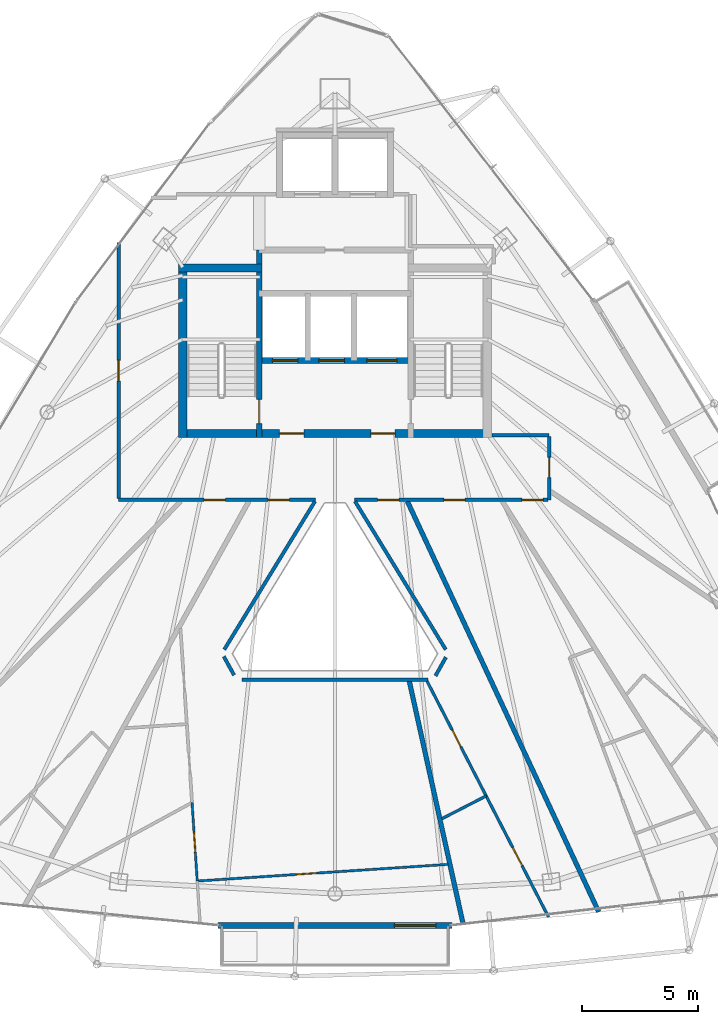
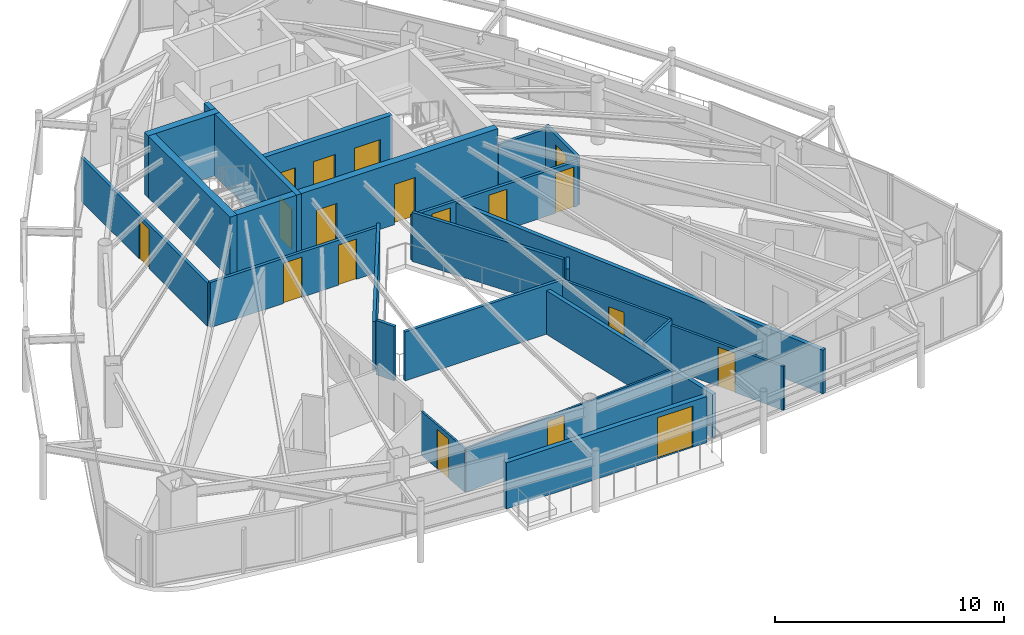
# One storey, part 25 of 29: 23 walls, 18 doors, 18 openings.
"""IFC4 building model written with IfcOpenShell, lengths in metres."""

from ifc_helpers import new_model, si_unit, direction, frame, frame_2d, origin, place, context, subcontext, project, spatial, rectangle, extrude, material, layer, layer_set, type_object, element, fill, save


model = new_model("IFC4")

# Units and contexts
model_context = context("Model", 3, precision=1e-05, world=origin(), true_north=direction((0.0, 1.0)))
body_context = subcontext(model_context, "Body", "Model", "MODEL_VIEW")
ifc_project = project(units=[si_unit("LENGTHUNIT", "METRE"), si_unit("AREAUNIT", "SQUARE_METRE"), si_unit("VOLUMEUNIT", "CUBIC_METRE"), si_unit("PLANEANGLEUNIT", "RADIAN"), si_unit("MASSUNIT", "GRAM", prefix="KILO")], contexts=[model_context])

# Site, building, storey
site_placement = place(None, origin())
site = spatial("IfcSite", under=ifc_project, at=site_placement, CompositionType="ELEMENT")
building_placement = place(site_placement, origin())
building = spatial("IfcBuilding", under=site, at=building_placement, Name="Orvanel Arch Residences", CompositionType="ELEMENT")
storey_placement = place(building_placement, frame((0.0, 0.0, 253.550048828125)))
storey = spatial("IfcBuildingStorey", under=building, at=storey_placement, Name="L72", CompositionType="ELEMENT", Elevation=253.550048828125)

# Wall, opening, door
ifc_material_1 = material(Name="Precast concrete N50 (50 MPa)", Category="concrete")
ifc_layer_1 = layer(ifc_material_1, 0.239990234375)
ifc_layer_set_1 = layer_set([ifc_layer_1], Name="Precast concrete N50 (50 MPa)")
wall_type_1 = type_object("IfcWallType", Name="EW-BAL-240", PredefinedType="SOLIDWALL", material=ifc_layer_set_1)
wall_1_placement = place(storey_placement, frame((27.94091796875, 5.469970703125, 0.0), z_axis=(0.0, 0.0, 1.0), x_axis=(1.0, 0.0, 0.0)))
wall_1 = element("IfcWall", 1, at=wall_1_placement, inside=storey, type_object=wall_type_1, Name="L72 Balcony Threshold Wall Face 2", PredefinedType="SOLIDWALL", context=body_context, shape_type="SweptSolid", body=[
    extrude(rectangle(XDim=10.1181640625, YDim=0.239990234375, at=frame_2d((5.05908203125, 0.0))), origin(), (0.0, 0.0, 1.0), 2.4638671875),
])
opening_1_placement = place(wall_1_placement, frame((7.6201171875, 0.0, 0.0)))
opening_1 = element("IfcOpeningElement", 2, at=opening_1_placement, cuts=wall_1, Name="Opening DB-180", PredefinedType="OPENING", context=body_context, shape_type="SweptSolid", body=[
    extrude(rectangle(XDim=1.800048828125, YDim=2.199951171875, at=frame_2d((0.89990234375, 1.10009765625))), frame((0.0, 0.1298828125, 0.0), z_axis=(0.0, -1.0, 0.0), x_axis=(1.0, 0.0, 0.0)), (0.0, 0.0, 1.0), 0.260009765625),
])
ifc_material_2 = material(Name="Bronze-anodised aluminium AA6063-T6", Category="aluminium")
door_type_1 = type_object("IfcDoorType", Name="DR-BAL-1800", OperationType="NOTDEFINED", PredefinedType="DOOR", material=ifc_material_2)
door_1_placement = place(opening_1_placement, origin())
door_1 = element("IfcDoor", 3, at=door_1_placement, inside=storey, type_object=door_type_1, Name="DR-L72-BAL-F2 L72 Planted Balcony Access Door Face 2", OperationType="SINGLE_SWING_LEFT", OverallHeight=2.199951171875, OverallWidth=1.800048828125, PredefinedType="DOOR", context=body_context, shape_type="SweptSolid", body=[
    extrude(rectangle(XDim=1.800048828125, YDim=2.199951171875, at=frame_2d((0.89990234375, 1.10009765625))), frame((0.0, 0.02490234375, 0.0), z_axis=(0.0, -1.0, 0.0), x_axis=(1.0, 0.0, 0.0)), (0.0, 0.0, 1.0), 0.050048828125),
])
fill(opening_1, door_1)

ifc_material_3 = material(Name="Concrete N50 (50 MPa)", Category="concrete")
ifc_layer_2 = layer(ifc_material_3, 0.25)
ifc_layer_set_2 = layer_set([ifc_layer_2], Name="Concrete N50 (50 MPa)")
wall_type_2 = type_object("IfcWallType", Name="SW-CORE-250", PredefinedType="SHEAR", material=ifc_layer_set_2)
wall_2_placement = place(storey_placement, frame((29.72509765625, 26.550048828125, 0.0), z_axis=(0.0, 0.0, 1.0), x_axis=(0.0, 1.0, 0.0)))
wall_2 = element("IfcWall", 4, at=wall_2_placement, inside=storey, type_object=wall_type_2, Name="L72 West Inner Core Spine Shear Wall", PredefinedType="SHEAR", context=body_context, shape_type="SweptSolid", body=[
    extrude(rectangle(XDim=8.099853515625, YDim=0.25, at=frame_2d((4.0498046875, 0.0))), origin(), (0.0, 0.0, 1.0), 3.300048828125),
])
opening_2_placement = place(wall_2_placement, frame((0.60009765625, 0.0, 0.0)))
opening_2 = element("IfcOpeningElement", 5, at=opening_2_placement, cuts=wall_2, Name="Opening DF-120", PredefinedType="OPENING", context=body_context, shape_type="SweptSolid", body=[
    extrude(rectangle(XDim=1.050048828125, YDim=2.14990234375, at=frame_2d((0.52490234375, 1.074951171875))), frame((0.0, 0.135009765625, 0.0), z_axis=(0.0, -1.0, 0.0), x_axis=(1.0, 0.0, 0.0)), (0.0, 0.0, 1.0), 0.27001953125),
])
ifc_material_4 = material(Name="Galvanised steel fire-resisting door assembly", Category="steel")
door_type_2 = type_object("IfcDoorType", Name="DR-FD120-1050", OperationType="NOTDEFINED", PredefinedType="DOOR", material=ifc_material_4)
door_2_placement = place(opening_2_placement, origin())
door_2 = element("IfcDoor", 6, at=door_2_placement, inside=storey, type_object=door_type_2, Name="DR-L72-ST1 L72 Stair 1 Fire Door", OperationType="SINGLE_SWING_LEFT", OverallHeight=2.14990234375, OverallWidth=1.050048828125, PredefinedType="DOOR", context=body_context, shape_type="SweptSolid", body=[
    extrude(rectangle(XDim=1.050048828125, YDim=2.14990234375, at=frame_2d((0.52490234375, 1.074951171875))), frame((0.0, 0.02490234375, 0.0), z_axis=(0.0, -1.0, 0.0), x_axis=(1.0, 0.0, 0.0)), (0.0, 0.0, 1.0), 0.050048828125),
])
fill(opening_2, door_2)

# Wall, openings, doors
wall_3_placement = place(storey_placement, frame((36.27490234375, 29.875, 0.0), z_axis=(0.0, 0.0, 1.0), x_axis=(-1.0, 0.0, 0.0)))
wall_3 = element("IfcWall", 7, at=wall_3_placement, inside=storey, type_object=wall_type_2, Name="L72 Emergency Lift Front Core Shear Wall", PredefinedType="SHEAR", context=body_context, shape_type="SweptSolid", body=[
    extrude(rectangle(XDim=6.5498046875, YDim=0.25, at=frame_2d((3.27490234375, 0.0))), origin(), (0.0, 0.0, 1.0), 3.300048828125),
])
opening_3_placement = place(wall_3_placement, frame((4.875, 0.0, 0.0)))
opening_3 = element("IfcOpeningElement", 8, at=opening_3_placement, cuts=wall_3, Name="Opening LD-110", PredefinedType="OPENING", context=body_context, shape_type="SweptSolid", body=[
    extrude(rectangle(XDim=1.10009765625, YDim=2.199951171875, at=frame_2d((0.550048828125, 1.10009765625))), frame((0.0, 0.135009765625, 0.0), z_axis=(0.0, -1.0, 0.0), x_axis=(1.0, 0.0, 0.0)), (0.0, 0.0, 1.0), 0.27001953125),
])
opening_4_placement = place(wall_3_placement, frame((2.875, 0.0, 0.0)))
opening_4 = element("IfcOpeningElement", 9, at=opening_4_placement, cuts=wall_3, Name="Opening LD-110", PredefinedType="OPENING", context=body_context, shape_type="SweptSolid", body=[
    extrude(rectangle(XDim=1.10009765625, YDim=2.199951171875, at=frame_2d((0.550048828125, 1.10009765625))), frame((0.0, 0.135009765625, 0.0), z_axis=(0.0, -1.0, 0.0), x_axis=(1.0, 0.0, 0.0)), (0.0, 0.0, 1.0), 0.27001953125),
])
opening_5_placement = place(wall_3_placement, frame((0.60009765625, 0.0, 0.0)))
opening_5 = element("IfcOpeningElement", 10, at=opening_5_placement, cuts=wall_3, Name="Opening LD-130", PredefinedType="OPENING", context=body_context, shape_type="SweptSolid", body=[
    extrude(rectangle(XDim=1.300048828125, YDim=2.199951171875, at=frame_2d((0.64990234375, 1.10009765625))), frame((0.0, 0.135009765625, 0.0), z_axis=(0.0, -1.0, 0.0), x_axis=(1.0, 0.0, 0.0)), (0.0, 0.0, 1.0), 0.27001953125),
])
door_type_3 = type_object("IfcDoorType", Name="DR-LFT-1100", OperationType="NOTDEFINED", PredefinedType="DOOR", material=ifc_material_4)
door_3_placement = place(opening_3_placement, origin())
door_3 = element("IfcDoor", 11, at=door_3_placement, inside=storey, type_object=door_type_3, Name="LD-F1-L72 L72 Lift F1 Sliding Landing Door", OperationType="DOUBLE_DOOR_SLIDING", OverallHeight=2.199951171875, OverallWidth=1.10009765625, PredefinedType="DOOR", context=body_context, shape_type="SweptSolid", body=[
    extrude(rectangle(XDim=1.10009765625, YDim=2.199951171875, at=frame_2d((0.550048828125, 1.10009765625))), frame((0.0, 0.02490234375, 0.0), z_axis=(0.0, -1.0, 0.0), x_axis=(1.0, 0.0, 0.0)), (0.0, 0.0, 1.0), 0.050048828125),
])
fill(opening_3, door_3)
door_4_placement = place(opening_4_placement, origin())
door_4 = element("IfcDoor", 12, at=door_4_placement, inside=storey, type_object=door_type_3, Name="LD-F2-L72 L72 Lift F2 Sliding Landing Door", OperationType="DOUBLE_DOOR_SLIDING", OverallHeight=2.199951171875, OverallWidth=1.10009765625, PredefinedType="DOOR", context=body_context, shape_type="SweptSolid", body=[
    extrude(rectangle(XDim=1.10009765625, YDim=2.199951171875, at=frame_2d((0.550048828125, 1.10009765625))), frame((0.0, 0.02490234375, 0.0), z_axis=(0.0, -1.0, 0.0), x_axis=(1.0, 0.0, 0.0)), (0.0, 0.0, 1.0), 0.050048828125),
])
fill(opening_4, door_4)
door_type_4 = type_object("IfcDoorType", Name="DR-LFT-1300", OperationType="NOTDEFINED", PredefinedType="DOOR", material=ifc_material_4)
door_5_placement = place(opening_5_placement, origin())
door_5 = element("IfcDoor", 13, at=door_5_placement, inside=storey, type_object=door_type_4, Name="LD-G1-L72 L72 Lift G1 Sliding Landing Door", OperationType="DOUBLE_DOOR_SLIDING", OverallHeight=2.199951171875, OverallWidth=1.300048828125, PredefinedType="DOOR", context=body_context, shape_type="SweptSolid", body=[
    extrude(rectangle(XDim=1.300048828125, YDim=2.199951171875, at=frame_2d((0.64990234375, 1.10009765625))), frame((0.0, 0.02490234375, 0.0), z_axis=(0.0, -1.0, 0.0), x_axis=(1.0, 0.0, 0.0)), (0.0, 0.0, 1.0), 0.050048828125),
])
fill(opening_5, door_5)

ifc_layer_3 = layer(ifc_material_3, 0.35009765625)
ifc_layer_set_3 = layer_set([ifc_layer_3], Name="Concrete N50 (50 MPa)")
wall_type_3 = type_object("IfcWallType", Name="SW-CORE-350", PredefinedType="SHEAR", material=ifc_layer_set_3)
wall_4_placement = place(storey_placement, frame((26.25, 26.72509765625, 0.0), z_axis=(0.0, 0.0, 1.0), x_axis=(1.0, 0.0, 0.0)))
wall_4 = element("IfcWall", 14, at=wall_4_placement, inside=storey, type_object=wall_type_3, Name="L72 South Core Shear Wall", PredefinedType="SHEAR", context=body_context, shape_type="SweptSolid", body=[
    extrude(rectangle(XDim=13.5, YDim=0.35009765625, at=frame_2d((6.75, 0.0))), origin(), (0.0, 0.0, 1.0), 3.300048828125),
])
opening_6_placement = place(wall_4_placement, frame((4.35009765625, 0.0, 0.0)))
opening_6 = element("IfcOpeningElement", 15, at=opening_6_placement, cuts=wall_4, Name="Opening DF-060", PredefinedType="OPENING", context=body_context, shape_type="SweptSolid", body=[
    extrude(rectangle(XDim=1.050048828125, YDim=2.14990234375, at=frame_2d((0.52490234375, 1.074951171875))), frame((0.0, 0.18505859375, 0.0), z_axis=(0.0, -1.0, 0.0), x_axis=(1.0, 0.0, 0.0)), (0.0, 0.0, 1.0), 0.3701171875),
])
opening_7_placement = place(wall_4_placement, frame((8.300048828125, 0.0, 0.0)))
opening_7 = element("IfcOpeningElement", 16, at=opening_7_placement, cuts=wall_4, Name="Opening DF-060", PredefinedType="OPENING", context=body_context, shape_type="SweptSolid", body=[
    extrude(rectangle(XDim=1.050048828125, YDim=2.14990234375, at=frame_2d((0.52490234375, 1.074951171875))), frame((0.0, 0.18505859375, 0.0), z_axis=(0.0, -1.0, 0.0), x_axis=(1.0, 0.0, 0.0)), (0.0, 0.0, 1.0), 0.3701171875),
])
door_type_5 = type_object("IfcDoorType", Name="DR-FD60-1050", OperationType="NOTDEFINED", PredefinedType="DOOR", material=ifc_material_4)
door_6_placement = place(opening_6_placement, origin())
door_6 = element("IfcDoor", 17, at=door_6_placement, inside=storey, type_object=door_type_5, Name="DR-L72-FFL-W L72 West Smoke Lobby Door", OperationType="SINGLE_SWING_LEFT", OverallHeight=2.14990234375, OverallWidth=1.050048828125, PredefinedType="DOOR", context=body_context, shape_type="SweptSolid", body=[
    extrude(rectangle(XDim=1.050048828125, YDim=2.14990234375, at=frame_2d((0.52490234375, 1.074951171875))), frame((0.0, 0.02490234375, 0.0), z_axis=(0.0, -1.0, 0.0), x_axis=(1.0, 0.0, 0.0)), (0.0, 0.0, 1.0), 0.050048828125),
])
fill(opening_6, door_6)
door_7_placement = place(opening_7_placement, origin())
door_7 = element("IfcDoor", 18, at=door_7_placement, inside=storey, type_object=door_type_5, Name="DR-L72-FFL-E L72 East Smoke Lobby Door", OperationType="SINGLE_SWING_RIGHT", OverallHeight=2.14990234375, OverallWidth=1.050048828125, PredefinedType="DOOR", context=body_context, shape_type="SweptSolid", body=[
    extrude(rectangle(XDim=1.050048828125, YDim=2.14990234375, at=frame_2d((0.52490234375, 1.074951171875))), frame((0.0, 0.02490234375, 0.0), z_axis=(0.0, -1.0, 0.0), x_axis=(1.0, 0.0, 0.0)), (0.0, 0.0, 1.0), 0.050048828125),
])
fill(opening_7, door_7)

# Walls
wall_5_placement = place(storey_placement, frame((26.425048828125, 26.550048828125, 0.0), z_axis=(0.0, 0.0, 1.0), x_axis=(0.0, 1.0, 0.0)))
element("IfcWall", 19, at=wall_5_placement, inside=storey, type_object=wall_type_3, Name="L72 West Stair Shear Wall", PredefinedType="SHEAR", context=body_context, shape_type="SweptSolid", body=[
    extrude(rectangle(XDim=7.5, YDim=0.35009765625, at=frame_2d((3.75, 0.0))), origin(), (0.0, 0.0, 1.0), 3.300048828125),
])
wall_6_placement = place(storey_placement, frame((26.25, 33.875, 0.0), z_axis=(0.0, 0.0, 1.0), x_axis=(1.0, 0.0, 0.0)))
element("IfcWall", 20, at=wall_6_placement, inside=storey, type_object=wall_type_3, Name="L72 West Stair North Shear Wall", PredefinedType="SHEAR", context=body_context, shape_type="SweptSolid", body=[
    extrude(rectangle(XDim=3.60009765625, YDim=0.35009765625, at=frame_2d((1.800048828125, 0.0))), origin(), (0.0, 0.0, 1.0), 3.300048828125),
])

# Wall, openings, doors
ifc_material_5 = material(Name="Fire-rated plasterboard lined steel stud partition", Category="steel")
ifc_layer_4 = layer(ifc_material_5, 0.14990234375)
ifc_layer_set_4 = layer_set([ifc_layer_4], Name="Fire-rated plasterboard lined steel stud partition")
wall_type_4 = type_object("IfcWallType", Name="W-COR-150", PredefinedType="PARTITIONING", material=ifc_layer_set_4)
wall_7_placement = place(storey_placement, frame((32.1650390625, 23.85009765625, 0.0), z_axis=(0.0, 0.0, 1.0), x_axis=(-1.0, 0.0, 0.0)))
wall_7 = element("IfcWall", 21, at=wall_7_placement, inside=storey, type_object=wall_type_4, Name="L72 Corridor Fire-Rated Partition", PredefinedType="PARTITIONING", context=body_context, shape_type="SweptSolid", body=[
    extrude(rectangle(XDim=8.51513671875, YDim=0.14990234375, at=frame_2d((4.257568359375, 0.0))), origin(), (0.0, 0.0, 1.0), 2.405029296875),
])
opening_8_placement = place(wall_7_placement, frame((1.133056640625, 0.0, 0.0)))
opening_8 = element("IfcOpeningElement", 22, at=opening_8_placement, cuts=wall_7, Name="Opening DA-092", PredefinedType="OPENING", context=body_context, shape_type="SweptSolid", body=[
    extrude(rectangle(XDim=0.919921875, YDim=2.14990234375, at=frame_2d((0.4599609375, 1.074951171875))), frame((0.0, 0.0849609375, 0.0), z_axis=(0.0, -1.0, 0.0), x_axis=(1.0, 0.0, 0.0)), (0.0, 0.0, 1.0), 0.169921875),
])
opening_9_placement = place(wall_7_placement, frame((3.89599609375, 0.0, 0.0)))
opening_9 = element("IfcOpeningElement", 23, at=opening_9_placement, cuts=wall_7, Name="Opening DA-092", PredefinedType="OPENING", context=body_context, shape_type="SweptSolid", body=[
    extrude(rectangle(XDim=0.919921875, YDim=2.14990234375, at=frame_2d((0.4599609375, 1.074951171875))), frame((0.0, 0.0849609375, 0.0), z_axis=(0.0, -1.0, 0.0), x_axis=(1.0, 0.0, 0.0)), (0.0, 0.0, 1.0), 0.169921875),
])
ifc_material_6 = material(Name="Solid-core European oak veneer fire door leaf", Category="wood")
door_type_6 = type_object("IfcDoorType", Name="DR-APT-920", OperationType="NOTDEFINED", PredefinedType="DOOR", material=ifc_material_6)
door_8_placement = place(opening_8_placement, origin())
door_8 = element("IfcDoor", 24, at=door_8_placement, inside=storey, type_object=door_type_6, Name="DR-L72-A-ENT L72 Studio A Entrance Door", OperationType="SINGLE_SWING_RIGHT", OverallHeight=2.14990234375, OverallWidth=0.919921875, PredefinedType="DOOR", context=body_context, shape_type="SweptSolid", body=[
    extrude(rectangle(XDim=0.919921875, YDim=2.14990234375, at=frame_2d((0.4599609375, 1.074951171875))), frame((0.0, 0.02490234375, 0.0), z_axis=(0.0, -1.0, 0.0), x_axis=(1.0, 0.0, 0.0)), (0.0, 0.0, 1.0), 0.050048828125),
])
fill(opening_8, door_8)
door_9_placement = place(opening_9_placement, origin())
door_9 = element("IfcDoor", 25, at=door_9_placement, inside=storey, type_object=door_type_6, Name="DR-L72-D-ENT L72 Studio D Entrance Door", OperationType="SINGLE_SWING_LEFT", OverallHeight=2.14990234375, OverallWidth=0.919921875, PredefinedType="DOOR", context=body_context, shape_type="SweptSolid", body=[
    extrude(rectangle(XDim=0.919921875, YDim=2.14990234375, at=frame_2d((0.4599609375, 1.074951171875))), frame((0.0, 0.02490234375, 0.0), z_axis=(0.0, -1.0, 0.0), x_axis=(1.0, 0.0, 0.0)), (0.0, 0.0, 1.0), 0.050048828125),
])
fill(opening_9, door_9)

# Wall, opening, door
wall_8_placement = place(storey_placement, frame((23.64990234375, 23.909912109375, 0.0), z_axis=(0.0, 0.0, 1.0), x_axis=(0.0, 1.0, 0.0)))
wall_8 = element("IfcWall", 26, at=wall_8_placement, inside=storey, type_object=wall_type_4, Name="L72 Corridor Fire-Rated Partition", PredefinedType="PARTITIONING", context=body_context, shape_type="SweptSolid", body=[
    extrude(rectangle(XDim=11.05908203125, YDim=0.14990234375, at=frame_2d((5.529541015625, 0.0))), origin(), (0.0, 0.0, 1.0), 2.33203125),
])
opening_10_placement = place(wall_8_placement, frame((5.090087890625, 0.0, 0.0)))
opening_10 = element("IfcOpeningElement", 27, at=opening_10_placement, cuts=wall_8, Name="Opening DI-088", PredefinedType="OPENING", context=body_context, shape_type="SweptSolid", body=[
    extrude(rectangle(XDim=0.8798828125, YDim=2.10009765625, at=frame_2d((0.43994140625, 1.050048828125))), frame((0.0, 0.0849609375, 0.0), z_axis=(0.0, -1.0, 0.0), x_axis=(1.0, 0.0, 0.0)), (0.0, 0.0, 1.0), 0.169921875),
])
door_type_7 = type_object("IfcDoorType", Name="DR-INT-880", OperationType="NOTDEFINED", PredefinedType="DOOR", material=ifc_material_6)
door_10_placement = place(opening_10_placement, origin())
door_10 = element("IfcDoor", 28, at=door_10_placement, inside=storey, type_object=door_type_7, Name="DR-L72-SHRD-FB3 L72 Co-Working Study Office C Door", OperationType="SINGLE_SWING_LEFT", OverallHeight=2.10009765625, OverallWidth=0.8798828125, PredefinedType="DOOR", context=body_context, shape_type="SweptSolid", body=[
    extrude(rectangle(XDim=0.8798828125, YDim=2.10009765625, at=frame_2d((0.43994140625, 1.050048828125))), frame((0.0, 0.02490234375, 0.0), z_axis=(0.0, -1.0, 0.0), x_axis=(1.0, 0.0, 0.0)), (0.0, 0.0, 1.0), 0.050048828125),
])
fill(opening_10, door_10)

# Wall
wall_9_placement = place(storey_placement, frame((39.7900390625, 26.64990234375, 0.0), z_axis=(0.0, 0.0, 1.0), x_axis=(1.0, 0.0, 0.0)))
element("IfcWall", 29, at=wall_9_placement, inside=storey, type_object=wall_type_4, Name="L72 Corridor Fire-Rated Partition", PredefinedType="PARTITIONING", context=body_context, shape_type="SweptSolid", body=[
    extrude(rectangle(XDim=2.4599609375, YDim=0.14990234375, at=frame_2d((1.22998046875, 0.0))), origin(), (0.0, 0.0, 1.0), 2.405029296875),
])

# Wall, opening, door
wall_10_placement = place(storey_placement, frame((42.25, 26.590087890625, 0.0), z_axis=(0.0, 0.0, 1.0), x_axis=(0.0, -1.0, 0.0)))
wall_10 = element("IfcWall", 30, at=wall_10_placement, inside=storey, type_object=wall_type_4, Name="L72 Corridor Fire-Rated Partition", PredefinedType="PARTITIONING", context=body_context, shape_type="SweptSolid", body=[
    extrude(rectangle(XDim=2.739990234375, YDim=0.14990234375, at=frame_2d((1.3701171875, 0.0))), origin(), (0.0, 0.0, 1.0), 2.613037109375),
])
opening_11_placement = place(wall_10_placement, frame((0.89697265625, 0.0, 0.0)))
opening_11 = element("IfcOpeningElement", 31, at=opening_11_placement, cuts=wall_10, Name="Opening DI-088", PredefinedType="OPENING", context=body_context, shape_type="SweptSolid", body=[
    extrude(rectangle(XDim=0.8798828125, YDim=2.10009765625, at=frame_2d((0.43994140625, 1.050048828125))), frame((0.0, 0.0849609375, 0.0), z_axis=(0.0, -1.0, 0.0), x_axis=(1.0, 0.0, 0.0)), (0.0, 0.0, 1.0), 0.169921875),
])
door_11_placement = place(opening_11_placement, origin())
door_11 = element("IfcDoor", 32, at=door_11_placement, inside=storey, type_object=door_type_7, Name="DR-L72-SHRD-FB2 L72 Co-Working Study Office B Door", OperationType="SINGLE_SWING_LEFT", OverallHeight=2.10009765625, OverallWidth=0.8798828125, PredefinedType="DOOR", context=body_context, shape_type="SweptSolid", body=[
    extrude(rectangle(XDim=0.8798828125, YDim=2.10009765625, at=frame_2d((0.43994140625, 1.050048828125))), frame((0.0, 0.02490234375, 0.0), z_axis=(0.0, -1.0, 0.0), x_axis=(1.0, 0.0, 0.0)), (0.0, 0.0, 1.0), 0.050048828125),
])
fill(opening_11, door_11)

# Wall, openings, doors
wall_11_placement = place(storey_placement, frame((42.18994140625, 23.85009765625, 0.0), z_axis=(0.0, 0.0, 1.0), x_axis=(-1.0, 0.0, 0.0)))
wall_11 = element("IfcWall", 33, at=wall_11_placement, inside=storey, type_object=wall_type_4, Name="L72 Corridor Fire-Rated Partition", PredefinedType="PARTITIONING", context=body_context, shape_type="SweptSolid", body=[
    extrude(rectangle(XDim=8.35498046875, YDim=0.14990234375, at=frame_2d((4.177490234375, 0.0))), origin(), (0.0, 0.0, 1.0), 2.405029296875),
])
opening_12_placement = place(wall_11_placement, frame((0.199951171875, 0.0, 0.0)))
opening_12 = element("IfcOpeningElement", 34, at=opening_12_placement, cuts=wall_11, Name="Opening DA-092", PredefinedType="OPENING", context=body_context, shape_type="SweptSolid", body=[
    extrude(rectangle(XDim=0.919921875, YDim=2.14990234375, at=frame_2d((0.4599609375, 1.074951171875))), frame((0.0, 0.0849609375, 0.0), z_axis=(0.0, -1.0, 0.0), x_axis=(1.0, 0.0, 0.0)), (0.0, 0.0, 1.0), 0.169921875),
])
opening_13_placement = place(wall_11_placement, frame((3.56591796875, 0.0, 0.0)))
opening_13 = element("IfcOpeningElement", 35, at=opening_13_placement, cuts=wall_11, Name="Opening DA-092", PredefinedType="OPENING", context=body_context, shape_type="SweptSolid", body=[
    extrude(rectangle(XDim=0.919921875, YDim=2.14990234375, at=frame_2d((0.4599609375, 1.074951171875))), frame((0.0, 0.0849609375, 0.0), z_axis=(0.0, -1.0, 0.0), x_axis=(1.0, 0.0, 0.0)), (0.0, 0.0, 1.0), 0.169921875),
])
opening_14_placement = place(wall_11_placement, frame((6.431884765625, 0.0, 0.0)))
opening_14 = element("IfcOpeningElement", 36, at=opening_14_placement, cuts=wall_11, Name="Opening DA-092", PredefinedType="OPENING", context=body_context, shape_type="SweptSolid", body=[
    extrude(rectangle(XDim=0.919921875, YDim=2.14990234375, at=frame_2d((0.4599609375, 1.074951171875))), frame((0.0, 0.0849609375, 0.0), z_axis=(0.0, -1.0, 0.0), x_axis=(1.0, 0.0, 0.0)), (0.0, 0.0, 1.0), 0.169921875),
])
door_12_placement = place(opening_12_placement, origin())
door_12 = element("IfcDoor", 37, at=door_12_placement, inside=storey, type_object=door_type_6, Name="DR-L72-E-ENT L72 Studio E Entrance Door", OperationType="SINGLE_SWING_RIGHT", OverallHeight=2.14990234375, OverallWidth=0.919921875, PredefinedType="DOOR", context=body_context, shape_type="SweptSolid", body=[
    extrude(rectangle(XDim=0.919921875, YDim=2.14990234375, at=frame_2d((0.4599609375, 1.074951171875))), frame((0.0, 0.02490234375, 0.0), z_axis=(0.0, -1.0, 0.0), x_axis=(1.0, 0.0, 0.0)), (0.0, 0.0, 1.0), 0.050048828125),
])
fill(opening_12, door_12)
door_13_placement = place(opening_13_placement, origin())
door_13 = element("IfcDoor", 38, at=door_13_placement, inside=storey, type_object=door_type_6, Name="DR-L72-F-ENT L72 Studio F Entrance Door", OperationType="SINGLE_SWING_LEFT", OverallHeight=2.14990234375, OverallWidth=0.919921875, PredefinedType="DOOR", context=body_context, shape_type="SweptSolid", body=[
    extrude(rectangle(XDim=0.919921875, YDim=2.14990234375, at=frame_2d((0.4599609375, 1.074951171875))), frame((0.0, 0.02490234375, 0.0), z_axis=(0.0, -1.0, 0.0), x_axis=(1.0, 0.0, 0.0)), (0.0, 0.0, 1.0), 0.050048828125),
])
fill(opening_13, door_13)
door_14_placement = place(opening_14_placement, origin())
door_14 = element("IfcDoor", 39, at=door_14_placement, inside=storey, type_object=door_type_6, Name="DR-L72-G-ENT L72 Studio G Entrance Door", OperationType="SINGLE_SWING_RIGHT", OverallHeight=2.14990234375, OverallWidth=0.919921875, PredefinedType="DOOR", context=body_context, shape_type="SweptSolid", body=[
    extrude(rectangle(XDim=0.919921875, YDim=2.14990234375, at=frame_2d((0.4599609375, 1.074951171875))), frame((0.0, 0.02490234375, 0.0), z_axis=(0.0, -1.0, 0.0), x_axis=(1.0, 0.0, 0.0)), (0.0, 0.0, 1.0), 0.050048828125),
])
fill(opening_14, door_14)

# Walls
wall_12_placement = place(storey_placement, frame((33.865966796875, 23.7900390625, 0.0), z_axis=(0.0, 0.0, 1.0), x_axis=(0.522011859837, -0.852938226479, 0.0)))
element("IfcWall", 40, at=wall_12_placement, inside=storey, type_object=wall_type_4, Name="L72 Atrium Overlook Glazed Partition", PredefinedType="PARTITIONING", context=body_context, shape_type="SweptSolid", body=[
    extrude(rectangle(XDim=7.503662109375, YDim=0.14990234375, at=frame_2d((3.751953125, 0.0))), origin(), (0.0, 0.0, 1.0), 2.613037109375),
])
wall_13_placement = place(storey_placement, frame((37.7890625, 17.053955078125, 0.0), z_axis=(0.0, 0.0, 1.0), x_axis=(-0.488935266506, -0.872320070368, 0.0)))
element("IfcWall", 41, at=wall_13_placement, inside=storey, type_object=wall_type_4, Name="L72 Atrium Overlook Glazed Partition", PredefinedType="PARTITIONING", context=body_context, shape_type="SweptSolid", body=[
    extrude(rectangle(XDim=0.918212890625, YDim=0.14990234375, at=frame_2d((0.458984375, 0.0))), origin(), (0.0, 0.0, 1.0), 2.89990234375),
])
wall_14_placement = place(storey_placement, frame((37.011962890625, 16.08203125, 0.0), z_axis=(0.0, 0.0, 1.0), x_axis=(-1.0, 0.0, 0.0)))
element("IfcWall", 42, at=wall_14_placement, inside=storey, type_object=wall_type_4, Name="L72 Atrium Overlook Glazed Partition", PredefinedType="PARTITIONING", context=body_context, shape_type="SweptSolid", body=[
    extrude(rectangle(XDim=8.02392578125, YDim=0.14990234375, at=frame_2d((4.011962890625, 0.0))), origin(), (0.0, 0.0, 1.0), 2.613037109375),
])
wall_15_placement = place(storey_placement, frame((28.638916015625, 16.285888671875, 0.0), z_axis=(0.0, 0.0, 1.0), x_axis=(-0.481571453054, 0.876406832244, 0.0)))
element("IfcWall", 43, at=wall_15_placement, inside=storey, type_object=wall_type_4, Name="L72 Atrium Overlook Glazed Partition", PredefinedType="PARTITIONING", context=body_context, shape_type="SweptSolid", body=[
    extrude(rectangle(XDim=0.917724609375, YDim=0.14990234375, at=frame_2d((0.458984375, 0.0))), origin(), (0.0, 0.0, 1.0), 2.89990234375),
])
wall_16_placement = place(storey_placement, frame((28.217041015625, 17.389892578125, 0.0), z_axis=(0.0, 0.0, 1.0), x_axis=(0.522011859837, 0.852938226479, 0.0)))
element("IfcWall", 44, at=wall_16_placement, inside=storey, type_object=wall_type_4, Name="L72 Atrium Overlook Glazed Partition", PredefinedType="PARTITIONING", context=body_context, shape_type="SweptSolid", body=[
    extrude(rectangle(XDim=7.503662109375, YDim=0.14990234375, at=frame_2d((3.751953125, 0.0))), origin(), (0.0, 0.0, 1.0), 2.613037109375),
])
ifc_layer_5 = layer(ifc_material_5, 0.199951171875)
ifc_layer_set_5 = layer_set([ifc_layer_5], Name="Fire-rated plasterboard lined steel stud partition")
wall_type_5 = type_object("IfcWallType", Name="W-DEM-200", PredefinedType="PARTITIONING", material=ifc_layer_set_5)
wall_17_placement = place(storey_placement, frame((36.2099609375, 16.02197265625, 0.0), z_axis=(0.0, 0.0, 1.0), x_axis=(0.216451711791, -0.976293325012, 0.0)))
element("IfcWall", 45, at=wall_17_placement, inside=storey, type_object=wall_type_5, Name="L72 Inter-Tenancy Acoustic Demising Wall", PredefinedType="PARTITIONING", context=body_context, shape_type="SweptSolid", body=[
    extrude(rectangle(XDim=10.74560546875, YDim=0.199951171875, at=frame_2d((5.372802734375, 0.0))), origin(), (0.0, 0.0, 1.0), 2.33203125),
])
wall_18_placement = place(storey_placement, frame((44.39111328125, 6.05810546875, 0.0), z_axis=(0.0, 0.0, 1.0), x_axis=(-0.422434507673, 0.906393450289, 0.0)))
element("IfcWall", 46, at=wall_18_placement, inside=storey, type_object=wall_type_5, Name="L72 Inter-Tenancy Acoustic Demising Wall", PredefinedType="PARTITIONING", context=body_context, shape_type="SweptSolid", body=[
    extrude(rectangle(XDim=19.563232421875, YDim=0.199951171875, at=frame_2d((9.78173828125, 0.0))), origin(), (0.0, 0.0, 1.0), 2.33203125),
])

# Wall, opening, door
ifc_material_7 = material(Name="Acoustic plasterboard lined twin-stud partition", Category="gypsum")
ifc_layer_6 = layer(ifc_material_7, 0.10009765625)
ifc_layer_set_6 = layer_set([ifc_layer_6], Name="Acoustic plasterboard lined twin-stud partition")
wall_type_6 = type_object("IfcWallType", Name="W-INT-100", PredefinedType="PARTITIONING", material=ifc_layer_set_6)
wall_19_placement = place(storey_placement, frame((37.876953125, 8.110107421875, 0.0), z_axis=(0.0, 0.0, 1.0), x_axis=(-0.997794804299, -0.066374155471, 0.0)))
wall_19 = element("IfcWall", 47, at=wall_19_placement, inside=storey, type_object=wall_type_6, Name="L72 Studio A Internal Partition", PredefinedType="PARTITIONING", context=body_context, shape_type="SweptSolid", body=[
    extrude(rectangle(XDim=10.850830078125, YDim=0.10009765625, at=frame_2d((5.42529296875, 0.0))), origin(), (0.0, 0.0, 1.0), 2.33203125),
])
opening_15_placement = place(wall_19_placement, frame((5.679931640625, 0.0, 0.0)))
opening_15 = element("IfcOpeningElement", 48, at=opening_15_placement, cuts=wall_19, Name="Opening DI-088", PredefinedType="OPENING", context=body_context, shape_type="SweptSolid", body=[
    extrude(rectangle(XDim=0.8798828125, YDim=2.10009765625, at=frame_2d((0.43994140625, 1.050048828125))), frame((0.0, 0.06005859375, 0.0), z_axis=(0.0, -1.0, 0.0), x_axis=(1.0, 0.0, 0.0)), (0.0, 0.0, 1.0), 0.1201171875),
])
door_15_placement = place(opening_15_placement, origin())
door_15 = element("IfcDoor", 49, at=door_15_placement, inside=storey, type_object=door_type_7, Name="DR-L72-A-STU1 L72 Studio A Private Study Room 1 Door", OperationType="SINGLE_SWING_LEFT", OverallHeight=2.10009765625, OverallWidth=0.8798828125, PredefinedType="DOOR", context=body_context, shape_type="SweptSolid", body=[
    extrude(rectangle(XDim=0.8798828125, YDim=2.10009765625, at=frame_2d((0.43994140625, 1.050048828125))), frame((0.0, 0.02490234375, 0.0), z_axis=(0.0, -1.0, 0.0), x_axis=(1.0, 0.0, 0.0)), (0.0, 0.0, 1.0), 0.050048828125),
])
fill(opening_15, door_15)

wall_20_placement = place(storey_placement, frame((27.050048828125, 7.389892578125, 0.0), z_axis=(0.0, 0.0, 1.0), x_axis=(-0.066251929929, 0.997802927326, 0.0)))
wall_20 = element("IfcWall", 50, at=wall_20_placement, inside=storey, type_object=wall_type_6, Name="L72 Studio A Internal Partition", PredefinedType="PARTITIONING", context=body_context, shape_type="SweptSolid", body=[
    extrude(rectangle(XDim=3.397705078125, YDim=0.10009765625, at=frame_2d((1.69873046875, 0.0))), origin(), (0.0, 0.0, 1.0), 2.33203125),
])
opening_16_placement = place(wall_20_placement, frame((1.259033203125, 0.0, 0.0)))
opening_16 = element("IfcOpeningElement", 51, at=opening_16_placement, cuts=wall_20, Name="Opening DI-088", PredefinedType="OPENING", context=body_context, shape_type="SweptSolid", body=[
    extrude(rectangle(XDim=0.8798828125, YDim=2.10009765625, at=frame_2d((0.43994140625, 1.050048828125))), frame((0.0, 0.06005859375, 0.0), z_axis=(0.0, -1.0, 0.0), x_axis=(1.0, 0.0, 0.0)), (0.0, 0.0, 1.0), 0.1201171875),
])
door_16_placement = place(opening_16_placement, origin())
door_16 = element("IfcDoor", 52, at=door_16_placement, inside=storey, type_object=door_type_7, Name="DR-L72-A-STU2 L72 Studio A Private Study Room 2 Door", OperationType="SINGLE_SWING_LEFT", OverallHeight=2.10009765625, OverallWidth=0.8798828125, PredefinedType="DOOR", context=body_context, shape_type="SweptSolid", body=[
    extrude(rectangle(XDim=0.8798828125, YDim=2.10009765625, at=frame_2d((0.43994140625, 1.050048828125))), frame((0.0, 0.02490234375, 0.0), z_axis=(0.0, -1.0, 0.0), x_axis=(1.0, 0.0, 0.0)), (0.0, 0.0, 1.0), 0.050048828125),
])
fill(opening_16, door_16)

ifc_layer_7 = layer(ifc_material_7, 0.1201171875)
ifc_layer_set_7 = layer_set([ifc_layer_7], Name="Acoustic plasterboard lined twin-stud partition")
wall_type_7 = type_object("IfcWallType", Name="W-WET-120", PredefinedType="PARTITIONING", material=ifc_layer_set_7)
wall_21_placement = place(storey_placement, frame((39.529052734375, 11.06591796875, 0.0), z_axis=(0.0, 0.0, 1.0), x_axis=(-0.457798211716, 0.889056127221, 0.0)))
wall_21 = element("IfcWall", 53, at=wall_21_placement, inside=storey, type_object=wall_type_7, Name="L72 Studio G Bathroom Partition", PredefinedType="PARTITIONING", context=body_context, shape_type="SweptSolid", body=[
    extrude(rectangle(XDim=5.574462890625, YDim=0.1201171875, at=frame_2d((2.787109375, 0.0))), origin(), (0.0, 0.0, 1.0), 2.613037109375),
])
opening_17_placement = place(wall_21_placement, frame((2.376953125, 0.0, 0.0)))
opening_17 = element("IfcOpeningElement", 54, at=opening_17_placement, cuts=wall_21, Name="Opening DW-082", PredefinedType="OPENING", context=body_context, shape_type="SweptSolid", body=[
    extrude(rectangle(XDim=0.820068359375, YDim=2.10009765625, at=frame_2d((0.41015625, 1.050048828125))), frame((0.0, 0.070068359375, 0.0), z_axis=(0.0, -1.0, 0.0), x_axis=(1.0, 0.0, 0.0)), (0.0, 0.0, 1.0), 0.14013671875),
])
door_type_8 = type_object("IfcDoorType", Name="DR-WET-820", OperationType="NOTDEFINED", PredefinedType="DOOR", material=ifc_material_6)
door_17_placement = place(opening_17_placement, origin())
door_17 = element("IfcDoor", 55, at=door_17_placement, inside=storey, type_object=door_type_8, Name="DR-L72-G-BATH L72 Studio G Bathroom Door", OperationType="SINGLE_SWING_RIGHT", OverallHeight=2.10009765625, OverallWidth=0.820068359375, PredefinedType="DOOR", context=body_context, shape_type="SweptSolid", body=[
    extrude(rectangle(XDim=0.820068359375, YDim=2.10009765625, at=frame_2d((0.41015625, 1.050048828125))), frame((0.0, 0.02490234375, 0.0), z_axis=(0.0, -1.0, 0.0), x_axis=(1.0, 0.0, 0.0)), (0.0, 0.0, 1.0), 0.050048828125),
])
fill(opening_17, door_17)

wall_22_placement = place(storey_placement, frame((42.22802734375, 5.825927734375, 0.0), z_axis=(0.0, 0.0, 1.0), x_axis=(-0.457901041138, 0.889003170143, 0.0)))
wall_22 = element("IfcWall", 56, at=wall_22_placement, inside=storey, type_object=wall_type_7, Name="L72 Studio G Internal Partition", PredefinedType="PARTITIONING", context=body_context, shape_type="SweptSolid", body=[
    extrude(rectangle(XDim=5.894287109375, YDim=0.1201171875, at=frame_2d((2.947265625, 0.0))), origin(), (0.0, 0.0, 1.0), 2.33203125),
])
opening_18_placement = place(wall_22_placement, frame((2.507080078125, 0.0, 0.0)))
opening_18 = element("IfcOpeningElement", 57, at=opening_18_placement, cuts=wall_22, Name="Opening DI-088", PredefinedType="OPENING", context=body_context, shape_type="SweptSolid", body=[
    extrude(rectangle(XDim=0.8798828125, YDim=2.10009765625, at=frame_2d((0.43994140625, 1.050048828125))), frame((0.0, 0.070068359375, 0.0), z_axis=(0.0, -1.0, 0.0), x_axis=(1.0, 0.0, 0.0)), (0.0, 0.0, 1.0), 0.14013671875),
])
door_18_placement = place(opening_18_placement, origin())
door_18 = element("IfcDoor", 58, at=door_18_placement, inside=storey, type_object=door_type_7, Name="DR-L72-G-KIT L72 Studio G Kitchenette Door", OperationType="SINGLE_SWING_LEFT", OverallHeight=2.10009765625, OverallWidth=0.8798828125, PredefinedType="DOOR", context=body_context, shape_type="SweptSolid", body=[
    extrude(rectangle(XDim=0.8798828125, YDim=2.10009765625, at=frame_2d((0.43994140625, 1.050048828125))), frame((0.0, 0.02490234375, 0.0), z_axis=(0.0, -1.0, 0.0), x_axis=(1.0, 0.0, 0.0)), (0.0, 0.0, 1.0), 0.050048828125),
])
fill(opening_18, door_18)

# Wall
wall_23_placement = place(storey_placement, frame((39.529052734375, 11.06591796875, 0.0), z_axis=(0.0, 0.0, 1.0), x_axis=(-0.889105964634, -0.457701413207, 0.0)))
element("IfcWall", 59, at=wall_23_placement, inside=storey, type_object=wall_type_7, Name="L72 Studio G Bathroom Partition", PredefinedType="PARTITIONING", context=body_context, shape_type="SweptSolid", body=[
    extrude(rectangle(XDim=2.15380859375, YDim=0.1201171875, at=frame_2d((1.076904296875, 0.0))), origin(), (0.0, 0.0, 1.0), 2.613037109375),
])

save(model, "model.ifc")
